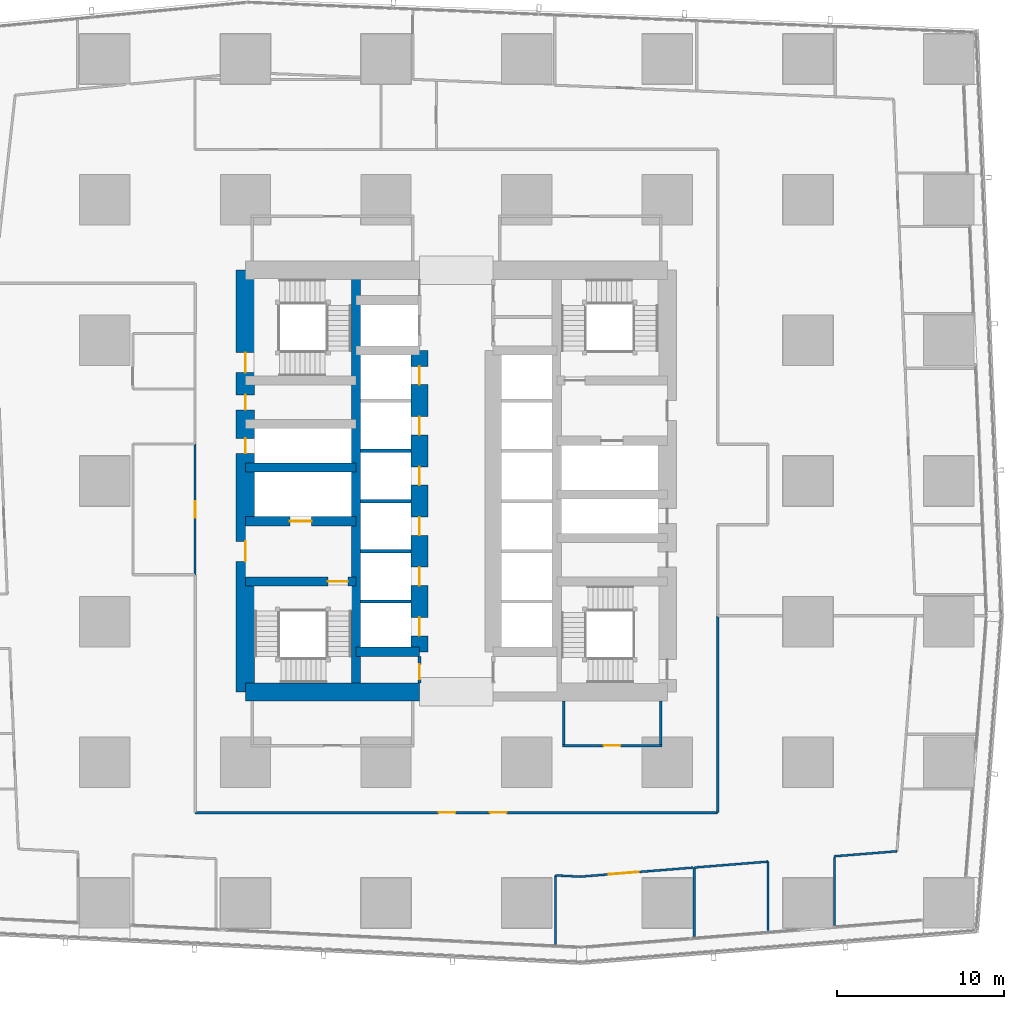
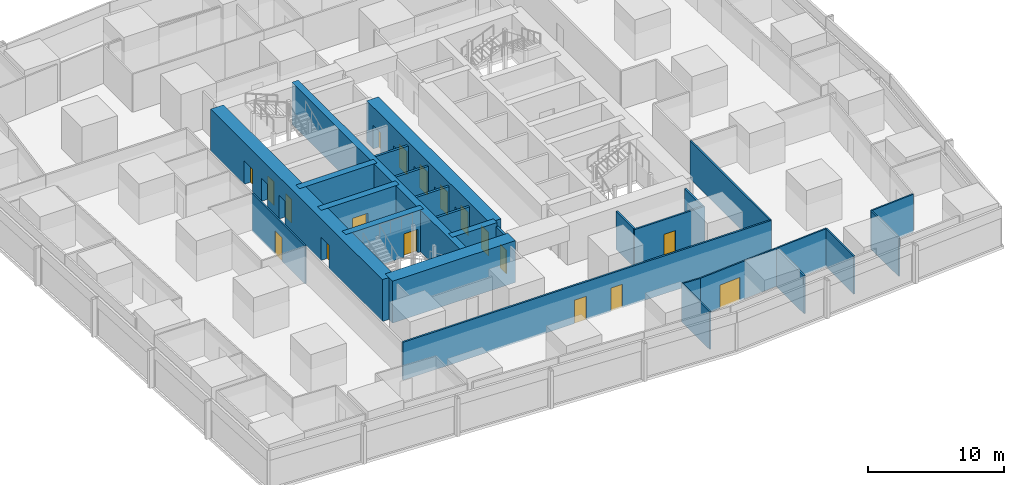
# One storey, part 32 of 44: 27 walls, 18 doors, 18 openings.
"""IFC4 building model written with IfcOpenShell, lengths in metres."""

import ifcopenshell
import ifcopenshell.guid

model = None  # the IFC model being written
_history = None  # IfcOwnerHistory: only IFC2X3 demands one
_inside = {}  # id of a spatial element -> (the spatial element, [elements in it])
_under = {}  # id of a project, library or spatial element -> (it, [spatial elements below it])
_declared = {}  # id of a project -> (the project, [libraries it declares])
_typed = {}  # id of a type object -> (the type object, [elements of that type])
_made_of = {}  # id of a material, layer set ... -> (it, [elements and type objects made of it])


def new_model(schema):
    """Start an empty IFC model of exactly this schema.

    Asked for "IFC4X3", IfcOpenShell would pick the latest addendum, in which some entities
    have other attributes; the version numbers below select the first issue.
    IFC2X3 requires an IfcOwnerHistory on every rooted entity: one is made here for all.
    """
    global model, _history
    if schema == "IFC4X3":
        model = ifcopenshell.file(schema_version=(4, 3, 0, 0))
    else:
        model = ifcopenshell.file(schema=schema)
    _inside.clear()
    _under.clear()
    _declared.clear()
    _typed.clear()
    _made_of.clear()
    _history = None
    if model.schema == "IFC2X3":
        org = make("IfcOrganization", Name="unknown")
        user = make(
            "IfcPersonAndOrganization",
            ThePerson=make("IfcPerson", FamilyName="unknown"),
            TheOrganization=org,
        )
        app = make(
            "IfcApplication",
            ApplicationDeveloper=org,
            Version="unknown",
            ApplicationFullName="unknown",
            ApplicationIdentifier="unknown",
        )
        _history = make(
            "IfcOwnerHistory",
            OwningUser=user,
            OwningApplication=app,
            ChangeAction="ADDED",
            CreationDate=0,
        )
    return model


def make(cls, **values):
    """One entity of the class cls with the attributes given. An attribute that is None is left unset."""
    return model.create_entity(
        cls, **{name: value for name, value in values.items() if value is not None}
    )


def rooted(cls, **values):
    """An entity with a GlobalId (a new one), such as an element, a storey or a relation."""
    return make(cls, GlobalId=ifcopenshell.guid.new(), OwnerHistory=_history, **values)


def si_unit(unit_type, name, prefix=None):
    """IfcSIUnit, for example si_unit("LENGTHUNIT", "METRE", prefix="MILLI")."""
    return make("IfcSIUnit", UnitType=unit_type, Prefix=prefix, Name=name)


def assignment(units):
    """IfcUnitAssignment: the units of a project."""
    return None if units is None else make("IfcUnitAssignment", Units=units)


def point(xyz):
    """IfcCartesianPoint."""
    return None if xyz is None else make("IfcCartesianPoint", Coordinates=xyz)


def direction(xyz):
    """IfcDirection."""
    return None if xyz is None else make("IfcDirection", DirectionRatios=xyz)


def frame(location, z_axis=None, x_axis=None):
    """IfcAxis2Placement3D, a coordinate frame: its origin and axes. An axis left out is left unset."""
    return make(
        "IfcAxis2Placement3D",
        Location=point(location),
        Axis=direction(z_axis),
        RefDirection=direction(x_axis),
    )


def frame_2d(location, x_axis=None):
    """IfcAxis2Placement2D, a coordinate frame in the plane: its origin and x axis."""
    return make(
        "IfcAxis2Placement2D", Location=point(location), RefDirection=direction(x_axis)
    )


def origin():
    """The frame at (0, 0, 0) with its axes left unset."""
    return frame((0.0, 0.0, 0.0))


def place(relative_to, where):
    """IfcLocalPlacement: puts the frame where relative to a parent placement (None: the world)."""
    return make(
        "IfcLocalPlacement", PlacementRelTo=relative_to, RelativePlacement=where
    )


def context(
    kind, dimensions, precision=None, world=None, true_north=None, identifier=None
):
    """IfcGeometricRepresentationContext, for example the 3D "Model" context."""
    return make(
        "IfcGeometricRepresentationContext",
        ContextIdentifier=identifier,
        ContextType=kind,
        CoordinateSpaceDimension=dimensions,
        Precision=precision,
        WorldCoordinateSystem=world,
        TrueNorth=true_north,
    )


def subcontext(parent, identifier, kind, view, scale=None):
    """IfcGeometricRepresentationSubContext, for example "Body" below "Model"."""
    return make(
        "IfcGeometricRepresentationSubContext",
        ContextIdentifier=identifier,
        ContextType=kind,
        ParentContext=parent,
        TargetScale=scale,
        TargetView=view,
    )


def project(units=None, contexts=None):
    """IfcProject with its units and contexts."""
    return rooted(
        "IfcProject",
        Name="project",
        RepresentationContexts=contexts,
        UnitsInContext=assignment(units),
    )


def spatial(cls, under=None, at=None, **own):
    """A site, building, storey or space (cls), placed at a placement, below another one or the project."""
    s = rooted(cls, ObjectPlacement=at, **own)
    if under is not None:
        _under.setdefault(under.id(), (under, []))[1].append(s)
    return s


def profile(cls, at=None, kind="AREA", **sizes):
    """A parametric profile (cls). Its sizes go by their IFC names, for example OverallWidth=200.0."""
    return make(cls, ProfileType=kind, Position=at, **sizes)


def rectangle(**sizes):
    """IfcRectangleProfileDef."""
    return profile("IfcRectangleProfileDef", **sizes)


def extrude(swept, where, along, depth):
    """IfcExtrudedAreaSolid: the profile swept, set in the frame where, extruded along a direction by depth."""
    return make(
        "IfcExtrudedAreaSolid",
        SweptArea=swept,
        Position=where,
        ExtrudedDirection=direction(along),
        Depth=depth,
    )


def shape(context_of_items, identifier, shape_type, items):
    """IfcShapeRepresentation: the items that make up one representation, for example the "Body"."""
    return make(
        "IfcShapeRepresentation",
        ContextOfItems=context_of_items,
        RepresentationIdentifier=identifier,
        RepresentationType=shape_type,
        Items=items,
    )


def material(Name=None, Category=None):
    """IfcMaterial."""
    return make("IfcMaterial", Name=Name, Category=Category)


def layer(
    of_material, thickness, ventilated=None, Name=None, Category=None, Priority=None
):
    """IfcMaterialLayer: one layer of a wall or slab, of a material (None: an air gap)."""
    return make(
        "IfcMaterialLayer",
        Material=of_material,
        LayerThickness=thickness,
        IsVentilated=ventilated,
        Name=Name,
        Category=Category,
        Priority=Priority,
    )


def layer_set(layers, Name=None):
    """IfcMaterialLayerSet."""
    return make("IfcMaterialLayerSet", MaterialLayers=layers, LayerSetName=Name)


def made_of(thing, what):
    """Note that an element or type object is made of a material, layer set ...; save() writes the relation."""
    if what is not None:
        _made_of.setdefault(what.id(), (what, []))[1].append(thing)
    return thing


def type_object(cls, material=None, **own):
    """A type object (cls), such as IfcWallType, which elements share."""
    return made_of(rooted(cls, **own), material)


def element(
    cls,
    number,
    at=None,
    inside=None,
    cuts=None,
    type_object=None,
    material=None,
    context=None,
    identifier="Body",
    shape_type=None,
    held_by="IfcProductDefinitionShape",
    body=None,
    shapes=None,
    **own,
):
    """One element of the class cls, such as IfcWall. Its Tag is "e" and its number.

    at: its placement. inside: the storey or other place that contains it. cuts: it is an
    opening in that element (IfcRelVoidsElement). A single representation is given by context,
    identifier, shape_type and body (its items); several are given by shapes. held_by: the class
    of the entity that holds the representations. save() writes the other relations.
    """
    e = rooted(cls, Tag="e%d" % number, ObjectPlacement=at, **own)
    if body is not None:
        shapes = [shape(context, identifier, shape_type, body)]
    if shapes is not None:
        e.Representation = make(held_by, Representations=shapes)
    if inside is not None:
        _inside.setdefault(inside.id(), (inside, []))[1].append(e)
    if cuts is not None:
        rooted(
            "IfcRelVoidsElement", RelatingBuildingElement=cuts, RelatedOpeningElement=e
        )
    if type_object is not None:
        _typed.setdefault(type_object.id(), (type_object, []))[1].append(e)
    return made_of(e, material)


def fill(opening, filler):
    """IfcRelFillsElement: the door or window that sits in an opening."""
    return rooted(
        "IfcRelFillsElement",
        RelatingOpeningElement=opening,
        RelatedBuildingElement=filler,
    )


def aggregate(whole, parts):
    """IfcRelAggregates: a whole, such as a stair, and the parts it consists of."""
    return rooted("IfcRelAggregates", RelatingObject=whole, RelatedObjects=parts)


def save(model, path):
    """Write the relations noted so far, then the file.

    IfcRelAggregates (storeys below a building ...), IfcRelContainedInSpatialStructure (elements
    in a storey), IfcRelDefinesByType, IfcRelAssociatesMaterial and IfcRelDeclares: one each for
    every whole, place, type object, material and project.
    """
    for whole, parts in _under.values():
        aggregate(whole, parts)
    for where, things in _inside.values():
        rooted(
            "IfcRelContainedInSpatialStructure",
            RelatedElements=things,
            RelatingStructure=where,
        )
    for kind, things in _typed.values():
        rooted("IfcRelDefinesByType", RelatedObjects=things, RelatingType=kind)
    for what, things in _made_of.values():
        rooted("IfcRelAssociatesMaterial", RelatedObjects=things, RelatingMaterial=what)
    for by, libraries in _declared.values():
        rooted("IfcRelDeclares", RelatingContext=by, RelatedDefinitions=libraries)
    model.write(path)


model = new_model("IFC4")

# Units and contexts
model_context = context("Model", 3, precision=1e-05, world=origin(), true_north=direction((0.0, 1.0)))
body_context = subcontext(model_context, "Body", "Model", "MODEL_VIEW")
ifc_project = project(units=[si_unit("LENGTHUNIT", "METRE"), si_unit("AREAUNIT", "SQUARE_METRE"), si_unit("VOLUMEUNIT", "CUBIC_METRE"), si_unit("PLANEANGLEUNIT", "RADIAN"), si_unit("MASSUNIT", "GRAM", prefix="KILO")], contexts=[model_context])

# Site, building, storey
site_placement = place(None, origin())
site = spatial("IfcSite", under=ifc_project, at=site_placement, CompositionType="ELEMENT")
building_placement = place(site_placement, origin())
building = spatial("IfcBuilding", under=site, at=building_placement, Name="Rekha Terrace Tower", CompositionType="ELEMENT")
storey_placement = place(building_placement, frame((0.0, 0.0, 81.64990234375)))
storey = spatial("IfcBuildingStorey", under=building, at=storey_placement, Name="L20", CompositionType="ELEMENT", Elevation=81.64990234375)

# Walls
ifc_material_1 = material(Name="Concrete M70", Category="concrete")
ifc_layer_1 = layer(ifc_material_1, 0.550048828125)
ifc_layer_set_1 = layer_set([ifc_layer_1], Name="Concrete M70")
wall_type_1 = type_object("IfcWallType", Name="CI1 550 core internal shear wall", PredefinedType="SHEAR", material=ifc_layer_set_1)
wall_1_placement = place(storey_placement, frame((31.800048828125, 21.0, 0.0), z_axis=(0.0, 0.0, 1.0), x_axis=(0.0, 1.0, 0.0)))
element("IfcWall", 1, at=wall_1_placement, inside=storey, type_object=wall_type_1, Name="Core wall X318 L20", PredefinedType="SHEAR", context=body_context, shape_type="SweptSolid", body=[
    extrude(rectangle(XDim=25.199951171875, YDim=0.550048828125, at=frame_2d((12.60009765625, 0.0))), origin(), (0.0, 0.0, 1.0), 3.75),
])
wall_2_placement = place(storey_placement, frame((31.800048828125, 23.39990234375, 0.0), z_axis=(0.0, 0.0, 1.0), x_axis=(1.0, 0.0, 0.0)))
element("IfcWall", 2, at=wall_2_placement, inside=storey, type_object=wall_type_1, Name="Core wall Y234W L20", PredefinedType="SHEAR", context=body_context, shape_type="SweptSolid", body=[
    extrude(rectangle(XDim=3.800048828125, YDim=0.550048828125, at=frame_2d((1.89990234375, 0.0))), origin(), (0.0, 0.0, 1.0), 3.75),
])

# Wall, opening, door
wall_3_placement = place(storey_placement, frame((25.199951171875, 27.60009765625, 0.0), z_axis=(0.0, 0.0, 1.0), x_axis=(1.0, 0.0, 0.0)))
wall_3 = element("IfcWall", 3, at=wall_3_placement, inside=storey, type_object=wall_type_1, Name="Core wall Y276W L20", PredefinedType="SHEAR", context=body_context, shape_type="SweptSolid", body=[
    extrude(rectangle(XDim=6.60009765625, YDim=0.550048828125, at=frame_2d((3.300048828125, 0.0))), origin(), (0.0, 0.0, 1.0), 3.75),
])
opening_1_placement = place(wall_3_placement, frame((4.925048828125, 0.0, 0.0)))
opening_1 = element("IfcOpeningElement", 4, at=opening_1_placement, cuts=wall_3, Name="Opening D1", PredefinedType="OPENING", context=body_context, shape_type="SweptSolid", body=[
    extrude(rectangle(XDim=1.199951171875, YDim=2.10009765625, at=frame_2d((0.60009765625, 1.050048828125))), frame((0.0, 0.284912109375, 0.0), z_axis=(0.0, -1.0, 0.0), x_axis=(1.0, 0.0, 0.0)), (0.0, 0.0, 1.0), 0.570068359375),
])
ifc_material_2 = material(Name="Steel fire door", Category="steel")
door_type_1 = type_object("IfcDoorType", Name="D1 1200x2100 stair fire door", OperationType="SINGLE_SWING_RIGHT", PredefinedType="DOOR", material=ifc_material_2)
door_1_placement = place(opening_1_placement, origin())
door_1 = element("IfcDoor", 5, at=door_1_placement, inside=storey, type_object=door_type_1, Name="Stair ST1 door L20", OperationType="SINGLE_SWING_RIGHT", OverallHeight=2.10009765625, OverallWidth=1.199951171875, PredefinedType="DOOR", context=body_context, shape_type="SweptSolid", body=[
    extrude(rectangle(XDim=1.199951171875, YDim=2.10009765625, at=frame_2d((0.60009765625, 1.050048828125))), frame((0.0, 0.02490234375, 0.0), z_axis=(0.0, -1.0, 0.0), x_axis=(1.0, 0.0, 0.0)), (0.0, 0.0, 1.0), 0.050048828125),
])
fill(opening_1, door_1)

wall_4_placement = place(storey_placement, frame((25.199951171875, 31.199951171875, 0.0), z_axis=(0.0, 0.0, 1.0), x_axis=(1.0, 0.0, 0.0)))
wall_4 = element("IfcWall", 6, at=wall_4_placement, inside=storey, type_object=wall_type_1, Name="Core wall Y312W L20", PredefinedType="SHEAR", context=body_context, shape_type="SweptSolid", body=[
    extrude(rectangle(XDim=6.60009765625, YDim=0.550048828125, at=frame_2d((3.300048828125, 0.0))), origin(), (0.0, 0.0, 1.0), 3.75),
])
opening_2_placement = place(wall_4_placement, frame((2.64990234375, 0.0, 0.0)))
opening_2 = element("IfcOpeningElement", 7, at=opening_2_placement, cuts=wall_4, Name="Opening LD2", PredefinedType="OPENING", context=body_context, shape_type="SweptSolid", body=[
    extrude(rectangle(XDim=1.300048828125, YDim=2.10009765625, at=frame_2d((0.64990234375, 1.050048828125))), frame((0.0, 0.284912109375, 0.0), z_axis=(0.0, -1.0, 0.0), x_axis=(1.0, 0.0, 0.0)), (0.0, 0.0, 1.0), 0.570068359375),
])
ifc_material_3 = material(Name="Stainless steel sliding landing door", Category="steel")
door_type_2 = type_object("IfcDoorType", Name="LD2 1300x2100 fire lift landing door", OperationType="SLIDING_TO_LEFT", PredefinedType="USERDEFINED", material=ifc_material_3)
door_2_placement = place(opening_2_placement, origin())
door_2 = element("IfcDoor", 8, at=door_2_placement, inside=storey, type_object=door_type_2, Name="Lift FL1 landing door L20", ObjectType="LIFT LANDING DOOR", OperationType="SLIDING_TO_LEFT", OverallHeight=2.10009765625, OverallWidth=1.300048828125, PredefinedType="USERDEFINED", context=body_context, shape_type="SweptSolid", body=[
    extrude(rectangle(XDim=1.300048828125, YDim=2.10009765625, at=frame_2d((0.64990234375, 1.050048828125))), frame((0.0, 0.02490234375, 0.0), z_axis=(0.0, -1.0, 0.0), x_axis=(1.0, 0.0, 0.0)), (0.0, 0.0, 1.0), 0.050048828125),
])
fill(opening_2, door_2)

# Wall
wall_5_placement = place(storey_placement, frame((25.199951171875, 34.39990234375, 0.0), z_axis=(0.0, 0.0, 1.0), x_axis=(1.0, 0.0, 0.0)))
element("IfcWall", 9, at=wall_5_placement, inside=storey, type_object=wall_type_1, Name="Core wall Y344W L20", PredefinedType="SHEAR", context=body_context, shape_type="SweptSolid", body=[
    extrude(rectangle(XDim=6.60009765625, YDim=0.550048828125, at=frame_2d((3.300048828125, 0.0))), origin(), (0.0, 0.0, 1.0), 3.75),
])

# Wall, openings, doors
ifc_layer_2 = layer(ifc_material_1, 1.0)
ifc_layer_set_2 = layer_set([ifc_layer_2], Name="Concrete M70")
wall_type_2 = type_object("IfcWallType", Name="LW1 1000 core lobby wall at an outrigger level", PredefinedType="SHEAR", material=ifc_layer_set_2)
wall_6_placement = place(storey_placement, frame((35.60009765625, 23.39990234375, 0.0), z_axis=(0.0, 0.0, 1.0), x_axis=(0.0, 1.0, 0.0)))
wall_6 = element("IfcWall", 10, at=wall_6_placement, inside=storey, type_object=wall_type_2, Name="Core wall X356 L20", PredefinedType="SHEAR", context=body_context, shape_type="SweptSolid", body=[
    extrude(rectangle(XDim=18.0, YDim=1.0, at=frame_2d((9.0, 0.0))), origin(), (0.0, 0.0, 1.0), 3.75),
])
opening_3_placement = place(wall_6_placement, frame((0.949951171875, 0.0, 0.0)))
opening_3 = element("IfcOpeningElement", 11, at=opening_3_placement, cuts=wall_6, Name="Opening LD1", PredefinedType="OPENING", context=body_context, shape_type="SweptSolid", body=[
    extrude(rectangle(XDim=1.10009765625, YDim=2.10009765625, at=frame_2d((0.550048828125, 1.050048828125))), frame((0.0, 0.510009765625, 0.0), z_axis=(0.0, -1.0, 0.0), x_axis=(1.0, 0.0, 0.0)), (0.0, 0.0, 1.0), 1.02001953125),
])
opening_4_placement = place(wall_6_placement, frame((3.949951171875, 0.0, 0.0)))
opening_4 = element("IfcOpeningElement", 12, at=opening_4_placement, cuts=wall_6, Name="Opening LD1", PredefinedType="OPENING", context=body_context, shape_type="SweptSolid", body=[
    extrude(rectangle(XDim=1.10009765625, YDim=2.10009765625, at=frame_2d((0.550048828125, 1.050048828125))), frame((0.0, 0.510009765625, 0.0), z_axis=(0.0, -1.0, 0.0), x_axis=(1.0, 0.0, 0.0)), (0.0, 0.0, 1.0), 1.02001953125),
])
opening_5_placement = place(wall_6_placement, frame((6.949951171875, 0.0, 0.0)))
opening_5 = element("IfcOpeningElement", 13, at=opening_5_placement, cuts=wall_6, Name="Opening LD1", PredefinedType="OPENING", context=body_context, shape_type="SweptSolid", body=[
    extrude(rectangle(XDim=1.10009765625, YDim=2.10009765625, at=frame_2d((0.550048828125, 1.050048828125))), frame((0.0, 0.510009765625, 0.0), z_axis=(0.0, -1.0, 0.0), x_axis=(1.0, 0.0, 0.0)), (0.0, 0.0, 1.0), 1.02001953125),
])
opening_6_placement = place(wall_6_placement, frame((9.949951171875, 0.0, 0.0)))
opening_6 = element("IfcOpeningElement", 14, at=opening_6_placement, cuts=wall_6, Name="Opening LD1", PredefinedType="OPENING", context=body_context, shape_type="SweptSolid", body=[
    extrude(rectangle(XDim=1.10009765625, YDim=2.10009765625, at=frame_2d((0.550048828125, 1.050048828125))), frame((0.0, 0.510009765625, 0.0), z_axis=(0.0, -1.0, 0.0), x_axis=(1.0, 0.0, 0.0)), (0.0, 0.0, 1.0), 1.02001953125),
])
opening_7_placement = place(wall_6_placement, frame((12.949951171875, 0.0, 0.0)))
opening_7 = element("IfcOpeningElement", 15, at=opening_7_placement, cuts=wall_6, Name="Opening LD1", PredefinedType="OPENING", context=body_context, shape_type="SweptSolid", body=[
    extrude(rectangle(XDim=1.10009765625, YDim=2.10009765625, at=frame_2d((0.550048828125, 1.050048828125))), frame((0.0, 0.510009765625, 0.0), z_axis=(0.0, -1.0, 0.0), x_axis=(1.0, 0.0, 0.0)), (0.0, 0.0, 1.0), 1.02001953125),
])
opening_8_placement = place(wall_6_placement, frame((15.949951171875, 0.0, 0.0)))
opening_8 = element("IfcOpeningElement", 16, at=opening_8_placement, cuts=wall_6, Name="Opening LD1", PredefinedType="OPENING", context=body_context, shape_type="SweptSolid", body=[
    extrude(rectangle(XDim=1.10009765625, YDim=2.10009765625, at=frame_2d((0.550048828125, 1.050048828125))), frame((0.0, 0.510009765625, 0.0), z_axis=(0.0, -1.0, 0.0), x_axis=(1.0, 0.0, 0.0)), (0.0, 0.0, 1.0), 1.02001953125),
])
door_type_3 = type_object("IfcDoorType", Name="LD1 1100x2100 lift landing door", OperationType="SLIDING_TO_LEFT", PredefinedType="USERDEFINED", material=ifc_material_3)
door_3_placement = place(opening_3_placement, origin())
door_3 = element("IfcDoor", 17, at=door_3_placement, inside=storey, type_object=door_type_3, Name="Lift A1 landing door L20", ObjectType="LIFT LANDING DOOR", OperationType="SLIDING_TO_LEFT", OverallHeight=2.10009765625, OverallWidth=1.10009765625, PredefinedType="USERDEFINED", context=body_context, shape_type="SweptSolid", body=[
    extrude(rectangle(XDim=1.10009765625, YDim=2.10009765625, at=frame_2d((0.550048828125, 1.050048828125))), frame((0.0, 0.02490234375, 0.0), z_axis=(0.0, -1.0, 0.0), x_axis=(1.0, 0.0, 0.0)), (0.0, 0.0, 1.0), 0.050048828125),
])
fill(opening_3, door_3)
door_4_placement = place(opening_4_placement, origin())
door_4 = element("IfcDoor", 18, at=door_4_placement, inside=storey, type_object=door_type_3, Name="Lift A2 landing door L20", ObjectType="LIFT LANDING DOOR", OperationType="SLIDING_TO_LEFT", OverallHeight=2.10009765625, OverallWidth=1.10009765625, PredefinedType="USERDEFINED", context=body_context, shape_type="SweptSolid", body=[
    extrude(rectangle(XDim=1.10009765625, YDim=2.10009765625, at=frame_2d((0.550048828125, 1.050048828125))), frame((0.0, 0.02490234375, 0.0), z_axis=(0.0, -1.0, 0.0), x_axis=(1.0, 0.0, 0.0)), (0.0, 0.0, 1.0), 0.050048828125),
])
fill(opening_4, door_4)
door_5_placement = place(opening_5_placement, origin())
door_5 = element("IfcDoor", 19, at=door_5_placement, inside=storey, type_object=door_type_3, Name="Lift A3 landing door L20", ObjectType="LIFT LANDING DOOR", OperationType="SLIDING_TO_LEFT", OverallHeight=2.10009765625, OverallWidth=1.10009765625, PredefinedType="USERDEFINED", context=body_context, shape_type="SweptSolid", body=[
    extrude(rectangle(XDim=1.10009765625, YDim=2.10009765625, at=frame_2d((0.550048828125, 1.050048828125))), frame((0.0, 0.02490234375, 0.0), z_axis=(0.0, -1.0, 0.0), x_axis=(1.0, 0.0, 0.0)), (0.0, 0.0, 1.0), 0.050048828125),
])
fill(opening_5, door_5)
door_6_placement = place(opening_6_placement, origin())
door_6 = element("IfcDoor", 20, at=door_6_placement, inside=storey, type_object=door_type_3, Name="Lift A4 landing door L20", ObjectType="LIFT LANDING DOOR", OperationType="SLIDING_TO_LEFT", OverallHeight=2.10009765625, OverallWidth=1.10009765625, PredefinedType="USERDEFINED", context=body_context, shape_type="SweptSolid", body=[
    extrude(rectangle(XDim=1.10009765625, YDim=2.10009765625, at=frame_2d((0.550048828125, 1.050048828125))), frame((0.0, 0.02490234375, 0.0), z_axis=(0.0, -1.0, 0.0), x_axis=(1.0, 0.0, 0.0)), (0.0, 0.0, 1.0), 0.050048828125),
])
fill(opening_6, door_6)
door_7_placement = place(opening_7_placement, origin())
door_7 = element("IfcDoor", 21, at=door_7_placement, inside=storey, type_object=door_type_3, Name="Lift A5 landing door L20", ObjectType="LIFT LANDING DOOR", OperationType="SLIDING_TO_LEFT", OverallHeight=2.10009765625, OverallWidth=1.10009765625, PredefinedType="USERDEFINED", context=body_context, shape_type="SweptSolid", body=[
    extrude(rectangle(XDim=1.10009765625, YDim=2.10009765625, at=frame_2d((0.550048828125, 1.050048828125))), frame((0.0, 0.02490234375, 0.0), z_axis=(0.0, -1.0, 0.0), x_axis=(1.0, 0.0, 0.0)), (0.0, 0.0, 1.0), 0.050048828125),
])
fill(opening_7, door_7)
door_8_placement = place(opening_8_placement, origin())
door_8 = element("IfcDoor", 22, at=door_8_placement, inside=storey, type_object=door_type_3, Name="Lift A6 landing door L20", ObjectType="LIFT LANDING DOOR", OperationType="SLIDING_TO_LEFT", OverallHeight=2.10009765625, OverallWidth=1.10009765625, PredefinedType="USERDEFINED", context=body_context, shape_type="SweptSolid", body=[
    extrude(rectangle(XDim=1.10009765625, YDim=2.10009765625, at=frame_2d((0.550048828125, 1.050048828125))), frame((0.0, 0.02490234375, 0.0), z_axis=(0.0, -1.0, 0.0), x_axis=(1.0, 0.0, 0.0)), (0.0, 0.0, 1.0), 0.050048828125),
])
fill(opening_8, door_8)

# Wall
ifc_layer_3 = layer(ifc_material_1, 1.10009765625)
ifc_layer_set_3 = layer_set([ifc_layer_3], Name="Concrete M70")
wall_type_3 = type_object("IfcWallType", Name="SW1 1100 core outer shear wall", PredefinedType="SHEAR", material=ifc_layer_set_3)
wall_7_placement = place(storey_placement, frame((25.199951171875, 21.0, 0.0), z_axis=(0.0, 0.0, 1.0), x_axis=(1.0, 0.0, 0.0)))
element("IfcWall", 23, at=wall_7_placement, inside=storey, type_object=wall_type_3, Name="Core wall S1 L20", PredefinedType="SHEAR", context=body_context, shape_type="SweptSolid", body=[
    extrude(rectangle(XDim=10.400146484375, YDim=1.10009765625, at=frame_2d((5.2001953125, 0.0))), origin(), (0.0, 0.0, 1.0), 3.75),
])

# Wall, openings, doors
wall_8_placement = place(storey_placement, frame((25.199951171875, 21.0, 0.0), z_axis=(0.0, 0.0, 1.0), x_axis=(0.0, 1.0, 0.0)))
wall_8 = element("IfcWall", 24, at=wall_8_placement, inside=storey, type_object=wall_type_3, Name="Core wall W L20", PredefinedType="SHEAR", context=body_context, shape_type="SweptSolid", body=[
    extrude(rectangle(XDim=25.199951171875, YDim=1.10009765625, at=frame_2d((12.60009765625, 0.0))), origin(), (0.0, 0.0, 1.0), 3.75),
])
opening_9_placement = place(wall_8_placement, frame((7.800048828125, 0.0, 0.0)))
opening_9 = element("IfcOpeningElement", 25, at=opening_9_placement, cuts=wall_8, Name="Opening D2", PredefinedType="OPENING", context=body_context, shape_type="SweptSolid", body=[
    extrude(rectangle(XDim=1.199951171875, YDim=2.10009765625, at=frame_2d((0.60009765625, 1.050048828125))), frame((0.0, 0.56005859375, 0.0), z_axis=(0.0, -1.0, 0.0), x_axis=(1.0, 0.0, 0.0)), (0.0, 0.0, 1.0), 1.1201171875),
])
opening_10_placement = place(wall_8_placement, frame((14.25, 0.0, 0.0)))
opening_10 = element("IfcOpeningElement", 26, at=opening_10_placement, cuts=wall_8, Name="Opening D5", PredefinedType="OPENING", context=body_context, shape_type="SweptSolid", body=[
    extrude(rectangle(XDim=0.89990234375, YDim=2.10009765625, at=frame_2d((0.449951171875, 1.050048828125))), frame((0.0, 0.56005859375, 0.0), z_axis=(0.0, -1.0, 0.0), x_axis=(1.0, 0.0, 0.0)), (0.0, 0.0, 1.0), 1.1201171875),
])
opening_11_placement = place(wall_8_placement, frame((16.85009765625, 0.0, 0.0)))
opening_11 = element("IfcOpeningElement", 27, at=opening_11_placement, cuts=wall_8, Name="Opening D5", PredefinedType="OPENING", context=body_context, shape_type="SweptSolid", body=[
    extrude(rectangle(XDim=0.89990234375, YDim=2.10009765625, at=frame_2d((0.449951171875, 1.050048828125))), frame((0.0, 0.56005859375, 0.0), z_axis=(0.0, -1.0, 0.0), x_axis=(1.0, 0.0, 0.0)), (0.0, 0.0, 1.0), 1.1201171875),
])
opening_12_placement = place(wall_8_placement, frame((19.074951171875, 0.0, 0.0)))
opening_12 = element("IfcOpeningElement", 28, at=opening_12_placement, cuts=wall_8, Name="Opening D1", PredefinedType="OPENING", context=body_context, shape_type="SweptSolid", body=[
    extrude(rectangle(XDim=1.199951171875, YDim=2.10009765625, at=frame_2d((0.60009765625, 1.050048828125))), frame((0.0, 0.56005859375, 0.0), z_axis=(0.0, -1.0, 0.0), x_axis=(1.0, 0.0, 0.0)), (0.0, 0.0, 1.0), 1.1201171875),
])
door_9_placement = place(opening_12_placement, origin())
door_9 = element("IfcDoor", 29, at=door_9_placement, inside=storey, type_object=door_type_1, Name="Stair ST4 door L20", OperationType="SINGLE_SWING_RIGHT", OverallHeight=2.10009765625, OverallWidth=1.199951171875, PredefinedType="DOOR", context=body_context, shape_type="SweptSolid", body=[
    extrude(rectangle(XDim=1.199951171875, YDim=2.10009765625, at=frame_2d((0.60009765625, 1.050048828125))), frame((0.0, 0.02490234375, 0.0), z_axis=(0.0, -1.0, 0.0), x_axis=(1.0, 0.0, 0.0)), (0.0, 0.0, 1.0), 0.050048828125),
])
fill(opening_12, door_9)
door_type_4 = type_object("IfcDoorType", Name="D2 1200x2100 firefighting lobby door", OperationType="SINGLE_SWING_LEFT", PredefinedType="DOOR", material=ifc_material_2)
door_10_placement = place(opening_9_placement, origin())
door_10 = element("IfcDoor", 30, at=door_10_placement, inside=storey, type_object=door_type_4, Name="Door flb1 L20", OperationType="SINGLE_SWING_LEFT", OverallHeight=2.10009765625, OverallWidth=1.199951171875, PredefinedType="DOOR", context=body_context, shape_type="SweptSolid", body=[
    extrude(rectangle(XDim=1.199951171875, YDim=2.10009765625, at=frame_2d((0.60009765625, 1.050048828125))), frame((0.0, 0.02490234375, 0.0), z_axis=(0.0, -1.0, 0.0), x_axis=(1.0, 0.0, 0.0)), (0.0, 0.0, 1.0), 0.050048828125),
])
fill(opening_9, door_10)
door_type_5 = type_object("IfcDoorType", Name="D5 900x2100 riser access door", OperationType="SINGLE_SWING_LEFT", PredefinedType="DOOR", material=ifc_material_2)
door_11_placement = place(opening_10_placement, origin())
door_11 = element("IfcDoor", 31, at=door_11_placement, inside=storey, type_object=door_type_5, Name="Door rs1 L20", OperationType="SINGLE_SWING_LEFT", OverallHeight=2.10009765625, OverallWidth=0.89990234375, PredefinedType="DOOR", context=body_context, shape_type="SweptSolid", body=[
    extrude(rectangle(XDim=0.89990234375, YDim=2.10009765625, at=frame_2d((0.449951171875, 1.050048828125))), frame((0.0, 0.02490234375, 0.0), z_axis=(0.0, -1.0, 0.0), x_axis=(1.0, 0.0, 0.0)), (0.0, 0.0, 1.0), 0.050048828125),
])
fill(opening_10, door_11)
door_12_placement = place(opening_11_placement, origin())
door_12 = element("IfcDoor", 32, at=door_12_placement, inside=storey, type_object=door_type_5, Name="Door elw L20", OperationType="SINGLE_SWING_LEFT", OverallHeight=2.10009765625, OverallWidth=0.89990234375, PredefinedType="DOOR", context=body_context, shape_type="SweptSolid", body=[
    extrude(rectangle(XDim=0.89990234375, YDim=2.10009765625, at=frame_2d((0.449951171875, 1.050048828125))), frame((0.0, 0.02490234375, 0.0), z_axis=(0.0, -1.0, 0.0), x_axis=(1.0, 0.0, 0.0)), (0.0, 0.0, 1.0), 0.050048828125),
])
fill(opening_11, door_12)

# Wall, opening, door
ifc_material_4 = material(Name="Concrete block masonry, 1 hour", Category="masonry")
ifc_layer_4 = layer(ifc_material_4, 0.14990234375)
ifc_layer_set_4 = layer_set([ifc_layer_4], Name="Concrete block masonry, 1 hour")
wall_type_4 = type_object("IfcWallType", Name="WP2 150 tenancy partition", PredefinedType="PARTITIONING", material=ifc_layer_set_4)
wall_9_placement = place(storey_placement, frame((44.125, 17.800048828125, 0.0), z_axis=(0.0, 0.0, 1.0), x_axis=(1.0, 0.0, 0.0)))
wall_9 = element("IfcWall", 33, at=wall_9_placement, inside=storey, type_object=wall_type_4, Name="Men's WC wall L20", PredefinedType="PARTITIONING", context=body_context, shape_type="SweptSolid", body=[
    extrude(rectangle(XDim=5.949951171875, YDim=0.14990234375, at=frame_2d((2.97509765625, 0.0))), origin(), (0.0, 0.0, 1.0), 3.400146484375),
])
opening_13_placement = place(wall_9_placement, frame((2.47509765625, 0.0, 0.0)))
opening_13 = element("IfcOpeningElement", 34, at=opening_13_placement, cuts=wall_9, Name="Opening D3", PredefinedType="OPENING", context=body_context, shape_type="SweptSolid", body=[
    extrude(rectangle(XDim=1.0, YDim=2.10009765625, at=frame_2d((0.5, 1.050048828125))), frame((0.0, 0.0849609375, 0.0), z_axis=(0.0, -1.0, 0.0), x_axis=(1.0, 0.0, 0.0)), (0.0, 0.0, 1.0), 0.169921875),
])
ifc_material_5 = material(Name="Laminated timber fire door", Category="wood")
door_type_6 = type_object("IfcDoorType", Name="D3 1000x2100 WC door", OperationType="SINGLE_SWING_LEFT", PredefinedType="DOOR", material=ifc_material_5)
door_13_placement = place(opening_13_placement, origin())
door_13 = element("IfcDoor", 35, at=door_13_placement, inside=storey, type_object=door_type_6, Name="Door men's wc L20", OperationType="SINGLE_SWING_LEFT", OverallHeight=2.10009765625, OverallWidth=1.0, PredefinedType="DOOR", context=body_context, shape_type="SweptSolid", body=[
    extrude(rectangle(XDim=1.0, YDim=2.10009765625, at=frame_2d((0.5, 1.050048828125))), frame((0.0, 0.02490234375, 0.0), z_axis=(0.0, -1.0, 0.0), x_axis=(1.0, 0.0, 0.0)), (0.0, 0.0, 1.0), 0.050048828125),
])
fill(opening_13, door_13)

# Walls
for number, where, z_axis, x_axis, name in (
    (36, (44.199951171875, 17.875, 0.0), (0.0, 0.0, 1.0), (0.0, 1.0, 0.0), "Men's WC wall L20"),
    (37, (50.0, 17.875, 0.0), (0.0, 0.0, 1.0), (0.0, 1.0, 0.0), "Men's WC wall L20"),
):
    element("IfcWall", number, at=place(storey_placement, frame(where, z_axis=z_axis, x_axis=x_axis)), inside=storey, type_object=wall_type_4, Name=name, PredefinedType="PARTITIONING", context=body_context, shape_type="SweptSolid", body=[
        extrude(rectangle(XDim=2.574951171875, YDim=0.14990234375, at=frame_2d((1.28759765625, 0.0))), origin(), (0.0, 0.0, 1.0), 3.400146484375),
    ])

# Wall, openings, doors
wall_10_placement = place(storey_placement, frame((22.199951171875, 13.800048828125, 0.0), z_axis=(0.0, 0.0, 1.0), x_axis=(1.0, 0.0, 0.0)))
wall_10 = element("IfcWall", 38, at=wall_10_placement, inside=storey, type_object=wall_type_4, Name="Partition L20-O2", PredefinedType="PARTITIONING", context=body_context, shape_type="SweptSolid", body=[
    extrude(rectangle(XDim=31.199951171875, YDim=0.14990234375, at=frame_2d((15.60009765625, 0.0))), origin(), (0.0, 0.0, 1.0), 3.400146484375),
])
opening_14_placement = place(wall_10_placement, frame((14.5400390625, 0.0, 0.0)))
opening_14 = element("IfcOpeningElement", 39, at=opening_14_placement, cuts=wall_10, Name="Opening D9", PredefinedType="OPENING", context=body_context, shape_type="SweptSolid", body=[
    extrude(rectangle(XDim=1.0, YDim=2.10009765625, at=frame_2d((0.5, 1.050048828125))), frame((0.0, 0.0849609375, 0.0), z_axis=(0.0, -1.0, 0.0), x_axis=(1.0, 0.0, 0.0)), (0.0, 0.0, 1.0), 0.169921875),
])
opening_15_placement = place(wall_10_placement, frame((17.60009765625, 0.0, 0.0)))
opening_15 = element("IfcOpeningElement", 40, at=opening_15_placement, cuts=wall_10, Name="Opening D9", PredefinedType="OPENING", context=body_context, shape_type="SweptSolid", body=[
    extrude(rectangle(XDim=1.0, YDim=2.10009765625, at=frame_2d((0.5, 1.050048828125))), frame((0.0, 0.0849609375, 0.0), z_axis=(0.0, -1.0, 0.0), x_axis=(1.0, 0.0, 0.0)), (0.0, 0.0, 1.0), 0.169921875),
])
ifc_material_6 = material(Name="Timber fire door", Category="wood")
door_type_7 = type_object("IfcDoorType", Name="D9 1000x2100 office door", OperationType="SINGLE_SWING_LEFT", PredefinedType="DOOR", material=ifc_material_6)
door_14_placement = place(opening_14_placement, origin())
door_14 = element("IfcDoor", 41, at=door_14_placement, inside=storey, type_object=door_type_7, Name="Door open-plan office L20", OperationType="SINGLE_SWING_LEFT", OverallHeight=2.10009765625, OverallWidth=1.0, PredefinedType="DOOR", context=body_context, shape_type="SweptSolid", body=[
    extrude(rectangle(XDim=1.0, YDim=2.10009765625, at=frame_2d((0.5, 1.050048828125))), frame((0.0, 0.02490234375, 0.0), z_axis=(0.0, -1.0, 0.0), x_axis=(1.0, 0.0, 0.0)), (0.0, 0.0, 1.0), 0.050048828125),
])
fill(opening_14, door_14)
door_15_placement = place(opening_15_placement, origin())
door_15 = element("IfcDoor", 42, at=door_15_placement, inside=storey, type_object=door_type_7, Name="Door open-plan office L20", OperationType="SINGLE_SWING_LEFT", OverallHeight=2.10009765625, OverallWidth=1.0, PredefinedType="DOOR", context=body_context, shape_type="SweptSolid", body=[
    extrude(rectangle(XDim=1.0, YDim=2.10009765625, at=frame_2d((0.5, 1.050048828125))), frame((0.0, 0.02490234375, 0.0), z_axis=(0.0, -1.0, 0.0), x_axis=(1.0, 0.0, 0.0)), (0.0, 0.0, 1.0), 0.050048828125),
])
fill(opening_15, door_15)

# Walls
wall_11_placement = place(storey_placement, frame((53.39990234375, 13.800048828125, 0.0), z_axis=(0.0, 0.0, 1.0), x_axis=(0.0, 1.0, 0.0)))
element("IfcWall", 43, at=wall_11_placement, inside=storey, type_object=wall_type_4, Name="Partition L20-O2", PredefinedType="PARTITIONING", context=body_context, shape_type="SweptSolid", body=[
    extrude(rectangle(XDim=11.7509765625, YDim=0.14990234375, at=frame_2d((5.87548828125, 0.0))), origin(), (0.0, 0.0, 1.0), 3.400146484375),
])
wall_12_placement = place(storey_placement, frame((52.0009765625, 10.514892578125, 0.0), z_axis=(0.0, 0.0, 1.0), x_axis=(0.0, -1.0, 0.0)))
element("IfcWall", 44, at=wall_12_placement, inside=storey, type_object=wall_type_4, Name="Partition L20-O2", PredefinedType="PARTITIONING", context=body_context, shape_type="SweptSolid", body=[
    extrude(rectangle(XDim=4.1337890625, YDim=0.14990234375, at=frame_2d((2.06689453125, 0.0))), origin(), (0.0, 0.0, 1.0), 3.400146484375),
])
ifc_material_7 = material(Name="Two layers of fire-rated gypsum board each side on steel studs, acoustic quilt, 1 hour", Category="steel")
ifc_layer_5 = layer(ifc_material_7, 0.125)
ifc_layer_set_5 = layer_set([ifc_layer_5], Name="Two layers of fire-rated gypsum board each side on steel studs, acoustic quilt, 1 hour")
wall_type_5 = type_object("IfcWallType", Name="WP3 125 office partition", PredefinedType="PARTITIONING", material=ifc_layer_set_5)
wall_13_placement = place(storey_placement, frame((43.712890625, 5.888916015625, 0.0), z_axis=(0.0, 0.0, 1.0), x_axis=(0.0, 1.0, 0.0)))
element("IfcWall", 45, at=wall_13_placement, inside=storey, type_object=wall_type_5, Name="Partition L20-12", PredefinedType="PARTITIONING", context=body_context, shape_type="SweptSolid", body=[
    extrude(rectangle(XDim=4.155029296875, YDim=0.125, at=frame_2d((2.07763671875, 0.0))), origin(), (0.0, 0.0, 1.0), 3.400146484375),
])
wall_14_placement = place(storey_placement, frame((43.712890625, 10.0439453125, 0.0), z_axis=(0.0, 0.0, 1.0), x_axis=(0.998775040451, -0.049481497262, 0.0)))
element("IfcWall", 46, at=wall_14_placement, inside=storey, type_object=wall_type_5, Name="Partition L20-12", PredefinedType="PARTITIONING", context=body_context, shape_type="SweptSolid", body=[
    extrude(rectangle(XDim=1.4951171875, YDim=0.125, at=frame_2d((0.74755859375, 0.0))), origin(), (0.0, 0.0, 1.0), 3.400146484375),
])

# Wall, opening, door
wall_15_placement = place(storey_placement, frame((45.2060546875, 9.969970703125, 0.0), z_axis=(0.0, 0.0, 1.0), x_axis=(0.996809518435, 0.079817190868, 0.0)))
wall_15 = element("IfcWall", 47, at=wall_15_placement, inside=storey, type_object=wall_type_5, Name="Partition L20-12", PredefinedType="PARTITIONING", context=body_context, shape_type="SweptSolid", body=[
    extrude(rectangle(XDim=6.741455078125, YDim=0.125, at=frame_2d((3.37060546875, 0.0))), origin(), (0.0, 0.0, 1.0), 3.400146484375),
])
opening_16_placement = place(wall_15_placement, frame((1.70703125, 0.0, 0.0)))
opening_16 = element("IfcOpeningElement", 48, at=opening_16_placement, cuts=wall_15, Name="Opening D8", PredefinedType="OPENING", context=body_context, shape_type="SweptSolid", body=[
    extrude(rectangle(XDim=1.800048828125, YDim=2.10009765625, at=frame_2d((0.89990234375, 1.050048828125))), frame((0.0, 0.072509765625, 0.0), z_axis=(0.0, -1.0, 0.0), x_axis=(1.0, 0.0, 0.0)), (0.0, 0.0, 1.0), 0.14501953125),
])
door_type_8 = type_object("IfcDoorType", Name="D8 1800x2100 double leaf door", OperationType="DOUBLE_DOOR_SINGLE_SWING", PredefinedType="DOOR", material=ifc_material_6)
door_16_placement = place(opening_16_placement, origin())
door_16 = element("IfcDoor", 49, at=door_16_placement, inside=storey, type_object=door_type_8, Name="Door breakout lounge L20", OperationType="DOUBLE_DOOR_SINGLE_SWING", OverallHeight=2.10009765625, OverallWidth=1.800048828125, PredefinedType="DOOR", context=body_context, shape_type="SweptSolid", body=[
    extrude(rectangle(XDim=1.800048828125, YDim=2.10009765625, at=frame_2d((0.89990234375, 1.050048828125))), frame((0.0, 0.02490234375, 0.0), z_axis=(0.0, -1.0, 0.0), x_axis=(1.0, 0.0, 0.0)), (0.0, 0.0, 1.0), 0.050048828125),
])
fill(opening_16, door_16)

# Walls
wall_16_placement = place(storey_placement, frame((52.010986328125, 10.514892578125, 0.0), z_axis=(0.0, 0.0, 1.0), x_axis=(0.996804348419, 0.079881731156, 0.0)))
element("IfcWall", 50, at=wall_16_placement, inside=storey, type_object=wall_type_5, Name="Partition L20-12", PredefinedType="PARTITIONING", context=body_context, shape_type="SweptSolid", body=[
    extrude(rectangle(XDim=4.4072265625, YDim=0.125, at=frame_2d((2.20361328125, 0.0))), origin(), (0.0, 0.0, 1.0), 3.400146484375),
])
wall_17_placement = place(storey_placement, frame((56.404052734375, 10.866943359375, 0.0), z_axis=(0.0, 0.0, 1.0), x_axis=(0.0, -1.0, 0.0)))
element("IfcWall", 51, at=wall_17_placement, inside=storey, type_object=wall_type_5, Name="Partition L20-12", PredefinedType="PARTITIONING", context=body_context, shape_type="SweptSolid", body=[
    extrude(rectangle(XDim=4.133056640625, YDim=0.125, at=frame_2d((2.06640625, 0.0))), origin(), (0.0, 0.0, 1.0), 3.400146484375),
])
wall_18_placement = place(storey_placement, frame((60.360107421875, 11.18408203125, 0.0), z_axis=(0.0, 0.0, 1.0), x_axis=(0.996795236894, 0.079995348027, 0.0)))
element("IfcWall", 52, at=wall_18_placement, inside=storey, type_object=wall_type_5, Name="Partition L20-13", PredefinedType="PARTITIONING", context=body_context, shape_type="SweptSolid", body=[
    extrude(rectangle(XDim=3.762939453125, YDim=0.125, at=frame_2d((1.88134765625, 0.0))), origin(), (0.0, 0.0, 1.0), 3.400146484375),
])
wall_19_placement = place(storey_placement, frame((60.39208984375, 7.053955078125, 0.0), z_axis=(0.0, 0.0, 1.0), x_axis=(0.0, 1.0, 0.0)))
element("IfcWall", 53, at=wall_19_placement, inside=storey, type_object=wall_type_5, Name="Partition L20-13", PredefinedType="PARTITIONING", context=body_context, shape_type="SweptSolid", body=[
    extrude(rectangle(XDim=4.070068359375, YDim=0.125, at=frame_2d((2.03515625, 0.0))), origin(), (0.0, 0.0, 1.0), 3.400146484375),
])

# Wall, opening, door
wall_20_placement = place(storey_placement, frame((22.199951171875, 35.800048828125, 0.0), z_axis=(0.0, 0.0, 1.0), x_axis=(0.0, -1.0, 0.0)))
wall_20 = element("IfcWall", 54, at=wall_20_placement, inside=storey, type_object=wall_type_5, Name="Partition L20-20", PredefinedType="PARTITIONING", context=body_context, shape_type="SweptSolid", body=[
    extrude(rectangle(XDim=7.800048828125, YDim=0.125, at=frame_2d((3.89990234375, 0.0))), origin(), (0.0, 0.0, 1.0), 3.400146484375),
])
opening_17_placement = place(wall_20_placement, frame((3.39990234375, 0.0, 0.0)))
opening_17 = element("IfcOpeningElement", 55, at=opening_17_placement, cuts=wall_20, Name="Opening D9", PredefinedType="OPENING", context=body_context, shape_type="SweptSolid", body=[
    extrude(rectangle(XDim=1.0, YDim=2.10009765625, at=frame_2d((0.5, 1.050048828125))), frame((0.0, 0.072509765625, 0.0), z_axis=(0.0, -1.0, 0.0), x_axis=(1.0, 0.0, 0.0)), (0.0, 0.0, 1.0), 0.14501953125),
])
door_17_placement = place(opening_17_placement, origin())
door_17 = element("IfcDoor", 56, at=door_17_placement, inside=storey, type_object=door_type_7, Name="Door reception L20", OperationType="SINGLE_SWING_LEFT", OverallHeight=2.10009765625, OverallWidth=1.0, PredefinedType="DOOR", context=body_context, shape_type="SweptSolid", body=[
    extrude(rectangle(XDim=1.0, YDim=2.10009765625, at=frame_2d((0.5, 1.050048828125))), frame((0.0, 0.02490234375, 0.0), z_axis=(0.0, -1.0, 0.0), x_axis=(1.0, 0.0, 0.0)), (0.0, 0.0, 1.0), 0.050048828125),
])
fill(opening_17, door_17)

# Walls
ifc_material_8 = material(Name="Solid concrete block masonry, 2 hour", Category="masonry")
ifc_layer_6 = layer(ifc_material_8, 0.199951171875)
ifc_layer_set_6 = layer_set([ifc_layer_6], Name="Solid concrete block masonry, 2 hour")
wall_type_6 = type_object("IfcWallType", Name="WS1 200 stair and shaft enclosure", PredefinedType="PARTITIONING", material=ifc_layer_set_6)
for number, where, z_axis, x_axis, name in (
    (57, (32.074951171875, 26.39990234375, 0.0), (0.0, 0.0, 1.0), (1.0, 0.0, 0.0), "Lift shaft divider L20"),
    (58, (32.074951171875, 29.39990234375, 0.0), (0.0, 0.0, 1.0), (1.0, 0.0, 0.0), "Lift shaft divider L20"),
    (59, (32.074951171875, 32.39990234375, 0.0), (0.0, 0.0, 1.0), (1.0, 0.0, 0.0), "Lift shaft divider L20"),
    (60, (32.074951171875, 35.39990234375, 0.0), (0.0, 0.0, 1.0), (1.0, 0.0, 0.0), "Lift shaft divider L20"),
):
    element("IfcWall", number, at=place(storey_placement, frame(where, z_axis=z_axis, x_axis=x_axis)), inside=storey, type_object=wall_type_6, Name=name, PredefinedType="PARTITIONING", context=body_context, shape_type="SweptSolid", body=[
        extrude(rectangle(XDim=3.025146484375, YDim=0.199951171875, at=frame_2d((1.5126953125, 0.0))), origin(), (0.0, 0.0, 1.0), 3.400146484375),
    ])

# Wall, opening, door
wall_21_placement = place(storey_placement, frame((35.60009765625, 21.550048828125, 0.0), z_axis=(0.0, 0.0, 1.0), x_axis=(0.0, 1.0, 0.0)))
wall_21 = element("IfcWall", 61, at=wall_21_placement, inside=storey, type_object=wall_type_6, Name="Core partition west L20", PredefinedType="PARTITIONING", context=body_context, shape_type="SweptSolid", body=[
    extrude(rectangle(XDim=1.574951171875, YDim=0.199951171875, at=frame_2d((0.78759765625, 0.0))), origin(), (0.0, 0.0, 1.0), 3.400146484375),
])
opening_18_placement = place(wall_21_placement, frame((0.199951171875, 0.0, 0.0)))
opening_18 = element("IfcOpeningElement", 62, at=opening_18_placement, cuts=wall_21, Name="Opening D5", PredefinedType="OPENING", context=body_context, shape_type="SweptSolid", body=[
    extrude(rectangle(XDim=0.89990234375, YDim=2.10009765625, at=frame_2d((0.449951171875, 1.050048828125))), frame((0.0, 0.10986328125, 0.0), z_axis=(0.0, -1.0, 0.0), x_axis=(1.0, 0.0, 0.0)), (0.0, 0.0, 1.0), 0.219970703125),
])
door_18_placement = place(opening_18_placement, origin())
door_18 = element("IfcDoor", 63, at=door_18_placement, inside=storey, type_object=door_type_5, Name="Door cleaner's store L20", OperationType="SINGLE_SWING_LEFT", OverallHeight=2.10009765625, OverallWidth=0.89990234375, PredefinedType="DOOR", context=body_context, shape_type="SweptSolid", body=[
    extrude(rectangle(XDim=0.89990234375, YDim=2.10009765625, at=frame_2d((0.449951171875, 1.050048828125))), frame((0.0, 0.02490234375, 0.0), z_axis=(0.0, -1.0, 0.0), x_axis=(1.0, 0.0, 0.0)), (0.0, 0.0, 1.0), 0.050048828125),
])
fill(opening_18, door_18)

save(model, "model.ifc")
